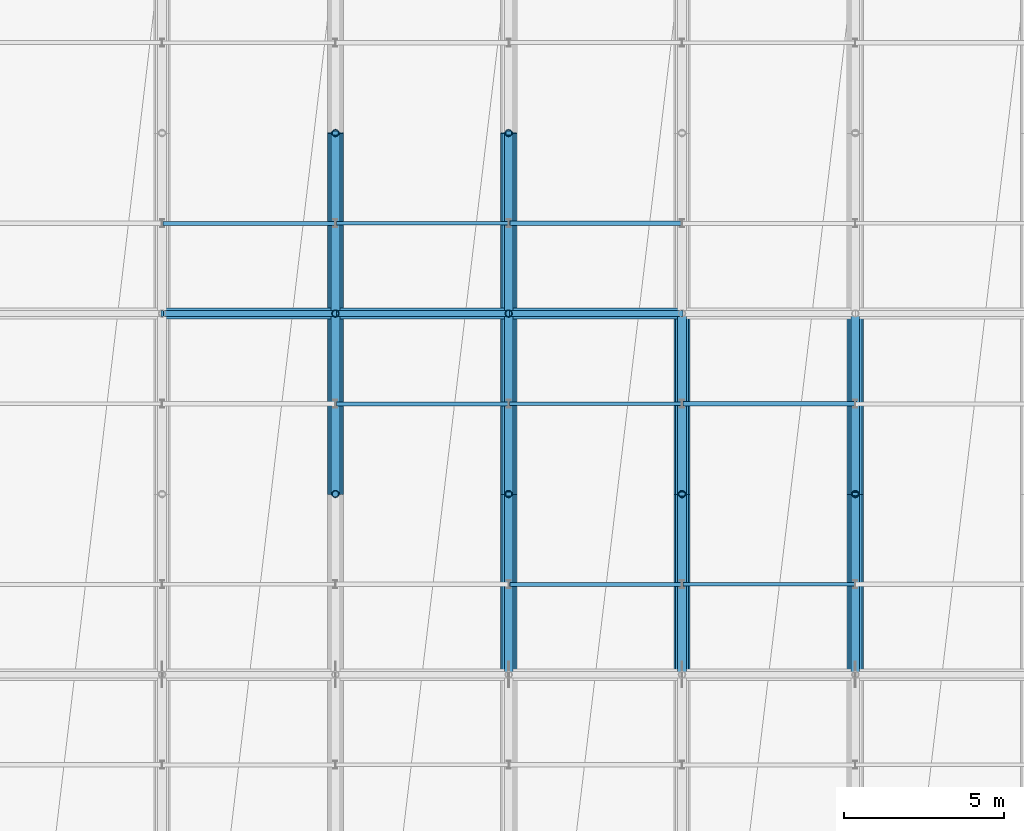
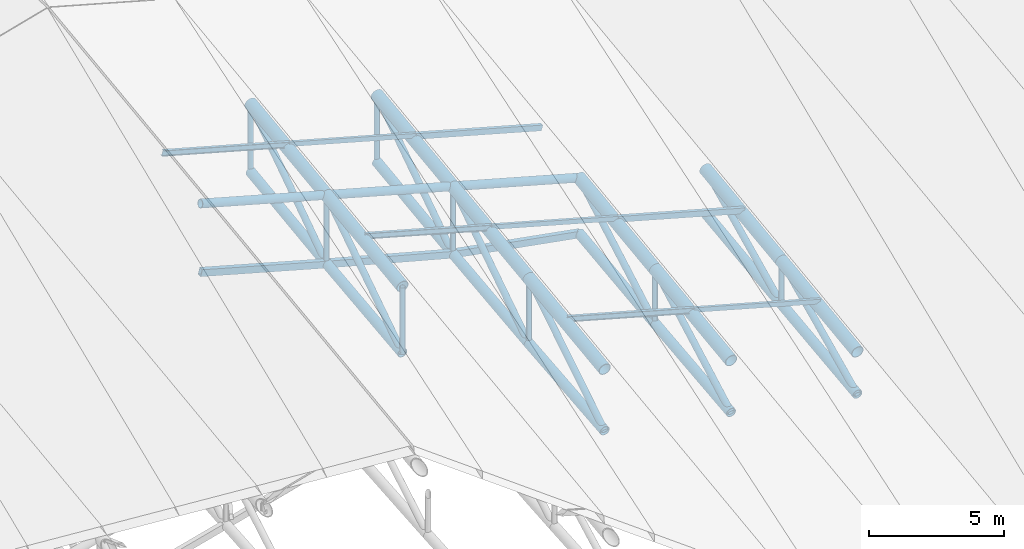
# One storey, part 17 of 109: 31 members, 18 beams.
"""IFC4 building model written with IfcOpenShell, lengths in metres."""

from ifc_helpers import new_model, si_unit, direction, frame, origin, origin_2d, place, context, subcontext, project, spatial, hollow_rectangle, hollow_circle, i_section, extrude, material, material_profile, profile_set, type_object, element, save


model = new_model("IFC4")

# Units and contexts
model_context = context("Model", 3, precision=1e-05, world=origin(), true_north=direction((0.0, 1.0)))
body_context = subcontext(model_context, "Body", "Model", "MODEL_VIEW")
ifc_project = project(units=[si_unit("LENGTHUNIT", "METRE"), si_unit("AREAUNIT", "SQUARE_METRE"), si_unit("VOLUMEUNIT", "CUBIC_METRE"), si_unit("PLANEANGLEUNIT", "RADIAN"), si_unit("MASSUNIT", "GRAM", prefix="KILO")], contexts=[model_context])

# Site, building, storey
site_placement = place(None, origin())
site = spatial("IfcSite", under=ifc_project, at=site_placement, CompositionType="ELEMENT")
building_placement = place(site_placement, origin())
building = spatial("IfcBuilding", under=site, at=building_placement, Name="Suirenkawa Promenade Aquatics Centre", CompositionType="ELEMENT")
storey_placement = place(building_placement, frame((0.0, 0.0, 22.800048828125)))
storey = spatial("IfcBuildingStorey", under=building, at=storey_placement, Name="ROOF", CompositionType="ELEMENT", Elevation=22.800048828125)

# Beams
ifc_material = material(Name="Steel IS 2062 E350 (Grade 350)", Category="steel")
ifc_material_profile_1 = material_profile(ifc_material, hollow_circle(Radius=0.202880859375, WallThickness=0.01806640625, at=origin_2d()), Name="CHS 406x18", Category="steel")
ifc_profile_set_1 = profile_set([ifc_material_profile_1], Name="Steel IS 2062 E350 (Grade 350)")
beam_type_1 = type_object("IfcBeamType", Name="BT-BC-CHS406", PredefinedType="BEAM", material=ifc_profile_set_1)
beam_1_placement = place(storey_placement, frame((73.800048828125, 78.52490234375, -9.880126953125), z_axis=(0.0, 0.993625471381, 0.112731639852), x_axis=(-1.0, 0.0, 0.0)))
element("IfcBeam", 1, at=beam_1_placement, inside=storey, type_object=beam_type_1, Name="ROOF TRUSS V1 bottom chord BC-01 BM-1958", PredefinedType="BEAM", context=body_context, shape_type="SweptSolid", body=[
    extrude(hollow_circle(Radius=0.202880859375, WallThickness=0.01806640625, at=origin_2d()), origin(), (0.0, 0.0, 1.0), 5.6611328125),
])
beam_2_placement = place(storey_placement, frame((73.800048828125, 84.14990234375, -9.241943359375), z_axis=(0.0, 0.991573992333, 0.129541567575), x_axis=(-1.0, 0.0, 0.0)))
element("IfcBeam", 2, at=beam_2_placement, inside=storey, type_object=beam_type_1, Name="ROOF TRUSS V1 bottom chord BC-01 BM-1960", PredefinedType="BEAM", context=body_context, shape_type="SweptSolid", body=[
    extrude(hollow_circle(Radius=0.202880859375, WallThickness=0.01806640625, at=origin_2d()), origin(), (0.0, 0.0, 1.0), 5.6728515625),
])
beam_3_placement = place(storey_placement, frame((79.199951171875, 72.89990234375, -11.881103515625), z_axis=(0.0, 0.995219391524, 0.09766454185), x_axis=(-1.0, 0.0, 0.0)))
element("IfcBeam", 3, at=beam_3_placement, inside=storey, type_object=beam_type_1, Name="ROOF TRUSS V1 bottom chord BC-01 BM-1984", PredefinedType="BEAM", context=body_context, shape_type="SweptSolid", body=[
    extrude(hollow_circle(Radius=0.202880859375, WallThickness=0.01806640625, at=origin_2d()), origin(), (0.0, 0.0, 1.0), 5.652099609375),
])
beam_4_placement = place(storey_placement, frame((79.199951171875, 78.52490234375, -11.3291015625), z_axis=(0.0, 0.993547952937, 0.113412808864), x_axis=(-1.0, 0.0, 0.0)))
element("IfcBeam", 4, at=beam_4_placement, inside=storey, type_object=beam_type_1, Name="ROOF TRUSS V1 bottom chord BC-01 BM-1986", PredefinedType="BEAM", context=body_context, shape_type="SweptSolid", body=[
    extrude(hollow_circle(Radius=0.202880859375, WallThickness=0.01806640625, at=origin_2d()), origin(), (0.0, 0.0, 1.0), 5.66162109375),
])
beam_5_placement = place(storey_placement, frame((79.199951171875, 84.14990234375, -10.68701171875), z_axis=(0.0, 0.991596090831, 0.129372302476), x_axis=(-1.0, 0.0, 0.0)))
element("IfcBeam", 5, at=beam_5_placement, inside=storey, type_object=beam_type_1, Name="ROOF TRUSS V1 bottom chord BC-01 BM-1988", PredefinedType="BEAM", context=body_context, shape_type="SweptSolid", body=[
    extrude(hollow_circle(Radius=0.202880859375, WallThickness=0.01806640625, at=origin_2d()), origin(), (0.0, 0.0, 1.0), 5.672607421875),
])
beam_6_placement = place(storey_placement, frame((84.60009765625, 72.89990234375, -12.945068359375), z_axis=(0.0, 0.99415070903, 0.108001702461), x_axis=(-1.0, 0.0, 0.0)))
element("IfcBeam", 6, at=beam_6_placement, inside=storey, type_object=beam_type_1, Name="ROOF TRUSS V1 bottom chord BC-01 BM-2012", PredefinedType="BEAM", context=body_context, shape_type="SweptSolid", body=[
    extrude(hollow_circle(Radius=0.202880859375, WallThickness=0.01806640625, at=origin_2d()), origin(), (0.0, 0.0, 1.0), 5.658203125),
])
for number, where, z_axis, x_axis, name in (
    (7, (84.60009765625, 78.52490234375, -12.333984375), (0.0, 0.993002721465, 0.11809146948), (-1.0, 0.0, 0.0), "ROOF TRUSS V1 bottom chord BC-01 BM-2014"),
    (8, (90.0, 72.89990234375, -14.008056640625), (0.0, 0.993022923404, 0.117921472154), (-1.0, 0.0, 0.0), "ROOF TRUSS V1 bottom chord BC-01 BM-2040"),
):
    element("IfcBeam", number, at=place(storey_placement, frame(where, z_axis=z_axis, x_axis=x_axis)), inside=storey, type_object=beam_type_1, Name=name, PredefinedType="BEAM", context=body_context, shape_type="SweptSolid", body=[
        extrude(hollow_circle(Radius=0.202880859375, WallThickness=0.01806640625, at=origin_2d()), origin(), (0.0, 0.0, 1.0), 5.66455078125),
    ])
beam_7_placement = place(storey_placement, frame((90.0, 78.52490234375, -13.340087890625), z_axis=(0.0, 0.992409843622, 0.122974396855), x_axis=(-1.0, 0.0, 0.0)))
element("IfcBeam", 9, at=beam_7_placement, inside=storey, type_object=beam_type_1, Name="ROOF TRUSS V1 bottom chord BC-01 BM-2042", PredefinedType="BEAM", context=body_context, shape_type="SweptSolid", body=[
    extrude(hollow_circle(Radius=0.202880859375, WallThickness=0.01806640625, at=origin_2d()), origin(), (0.0, 0.0, 1.0), 5.66796875),
])
ifc_material_profile_2 = material_profile(ifc_material, hollow_circle(Radius=0.25390625, WallThickness=0.02392578125, at=origin_2d()), Name="CHS 508x24", Category="steel")
ifc_profile_set_2 = profile_set([ifc_material_profile_2], Name="Steel IS 2062 E350 (Grade 350)")
beam_type_2 = type_object("IfcBeamType", Name="BT-TC-CHS508", PredefinedType="BEAM", material=ifc_profile_set_2)
for number, where, z_axis, x_axis, name in (
    (10, (73.800048828125, 78.52490234375, -6.875), (0.0, 0.991799178012, 0.127806065951), (-1.0, 0.0, 0.0), "ROOF TRUSS V1 top chord TC-02 BM-1957"),
    (11, (73.800048828125, 84.14990234375, -6.150146484375), (0.0, 0.991793720609, 0.127848409297), (-1.0, 0.0, 0.0), "ROOF TRUSS V1 top chord TC-02 BM-1959"),
    (12, (79.199951171875, 72.89990234375, -9.10009765625), (0.0, 0.991793720609, 0.127848409297), (-1.0, 0.0, 0.0), "ROOF TRUSS V1 top chord TC-02 BM-1983"),
    (13, (79.199951171875, 78.52490234375, -8.375), (0.0, 0.991799178012, 0.127806065951), (-1.0, 0.0, 0.0), "ROOF TRUSS V1 top chord TC-02 BM-1985"),
    (14, (79.199951171875, 84.14990234375, -7.650146484375), (0.0, 0.991793720609, 0.127848409297), (-1.0, 0.0, 0.0), "ROOF TRUSS V1 top chord TC-02 BM-1987"),
    (15, (84.60009765625, 72.89990234375, -10.60009765625), (0.0, 0.991793720609, 0.127848409297), (-1.0, 0.0, 0.0), "ROOF TRUSS V1 top chord TC-02 BM-2011"),
    (16, (84.60009765625, 78.52490234375, -9.875), (0.0, 0.991799178012, 0.127806065951), (-1.0, 0.0, 0.0), "ROOF TRUSS V1 top chord TC-02 BM-2013"),
    (17, (90.0, 72.89990234375, -12.10009765625), (0.0, 0.991793720609, 0.127848409297), (-1.0, 0.0, 0.0), "ROOF TRUSS V1 top chord TC-02 BM-2039"),
    (18, (90.0, 78.52490234375, -11.375), (0.0, 0.991799178012, 0.127806065951), (-1.0, 0.0, 0.0), "ROOF TRUSS V1 top chord TC-02 BM-2041"),
):
    element("IfcBeam", number, at=place(storey_placement, frame(where, z_axis=z_axis, x_axis=x_axis)), inside=storey, type_object=beam_type_2, Name=name, PredefinedType="BEAM", context=body_context, shape_type="SweptSolid", body=[
        extrude(hollow_circle(Radius=0.25390625, WallThickness=0.02392578125, at=origin_2d()), origin(), (0.0, 0.0, 1.0), 5.671630859375),
    ])

# Members
ifc_material_profile_3 = material_profile(ifc_material, hollow_circle(Radius=0.177978515625, WallThickness=0.01611328125, at=origin_2d()), Name="CHS 356x16", Category="steel")
ifc_profile_set_3 = profile_set([ifc_material_profile_3], Name="Steel IS 2062 E350 (Grade 350)")
member_type_1 = type_object("IfcMemberType", Name="MT-CHORD-CHS356", PredefinedType="CHORD", material=ifc_profile_set_3)
member_1_placement = place(storey_placement, frame((68.39990234375, 84.14990234375, -4.650146484375), z_axis=(0.963519781844, 0.0, -0.267637123724), x_axis=(0.0, 1.0, 0.0)))
element("IfcMember", 19, at=member_1_placement, inside=storey, type_object=member_type_1, Name="ROOF TRUSS V1 tie chord CH-02 MB-0776", PredefinedType="CHORD", context=body_context, shape_type="SweptSolid", body=[
    extrude(hollow_circle(Radius=0.177978515625, WallThickness=0.01611328125, at=origin_2d()), origin(), (0.0, 0.0, 1.0), 5.6044921875),
])
member_2_placement = place(storey_placement, frame((73.800048828125, 84.14990234375, -6.150146484375), z_axis=(0.963516661409, 0.0, -0.267648357342), x_axis=(0.0, 1.0, 0.0)))
element("IfcMember", 20, at=member_2_placement, inside=storey, type_object=member_type_1, Name="ROOF TRUSS V1 tie chord CH-02 MB-0778", PredefinedType="CHORD", context=body_context, shape_type="SweptSolid", body=[
    extrude(hollow_circle(Radius=0.177978515625, WallThickness=0.01611328125, at=origin_2d()), origin(), (0.0, 0.0, 1.0), 5.604248046875),
])
member_3_placement = place(storey_placement, frame((79.199951171875, 84.14990234375, -7.650146484375), z_axis=(0.963519781844, 0.0, -0.267637123724), x_axis=(0.0, 1.0, 0.0)))
element("IfcMember", 21, at=member_3_placement, inside=storey, type_object=member_type_1, Name="ROOF TRUSS V1 tie chord CH-02 MB-0780", PredefinedType="CHORD", context=body_context, shape_type="SweptSolid", body=[
    extrude(hollow_circle(Radius=0.177978515625, WallThickness=0.01611328125, at=origin_2d()), origin(), (0.0, 0.0, 1.0), 5.6044921875),
])
ifc_material_profile_4 = material_profile(ifc_material, hollow_rectangle(XDim=0.199951171875, YDim=0.300048828125, WallThickness=0.011962890625, at=origin_2d()), Name="RHS 300x200x12", Category="steel")
ifc_profile_set_4 = profile_set([ifc_material_profile_4], Name="Steel IS 2062 E350 (Grade 350)")
member_type_2 = type_object("IfcMemberType", Name="MT-CHORD-RHS300", PredefinedType="CHORD", material=ifc_profile_set_4)
member_4_placement = place(storey_placement, frame((68.39990234375, 84.14990234375, -7.741943359375), z_axis=(0.963519781844, 0.0, -0.267637123724), x_axis=(0.0, 1.0, 0.0)))
element("IfcMember", 22, at=member_4_placement, inside=storey, type_object=member_type_2, Name="ROOF TRUSS V1 bottom tie CH-03 MB-0777", PredefinedType="CHORD", context=body_context, shape_type="SweptSolid", body=[
    extrude(hollow_rectangle(XDim=0.199951171875, YDim=0.300048828125, WallThickness=0.011962890625, at=origin_2d()), origin(), (0.0, 0.0, 1.0), 5.6044921875),
])
member_5_placement = place(storey_placement, frame((73.800048828125, 84.14990234375, -9.241943359375), z_axis=(0.966007671503, 0.0, -0.258513401195), x_axis=(0.0, 1.0, 0.0)))
element("IfcMember", 23, at=member_5_placement, inside=storey, type_object=member_type_2, Name="ROOF TRUSS V1 bottom tie CH-03 MB-0779", PredefinedType="CHORD", context=body_context, shape_type="SweptSolid", body=[
    extrude(hollow_rectangle(XDim=0.199951171875, YDim=0.300048828125, WallThickness=0.011962890625, at=origin_2d()), origin(), (0.0, 0.0, 1.0), 5.58984375),
])
member_6_placement = place(storey_placement, frame((79.199951171875, 84.14990234375, -10.68701171875), z_axis=(0.983992105939, 0.0, -0.178212051919), x_axis=(0.0, 1.0, 0.0)))
element("IfcMember", 24, at=member_6_placement, inside=storey, type_object=member_type_2, Name="ROOF TRUSS V1 bottom tie CH-03 MB-0781", PredefinedType="CHORD", context=body_context, shape_type="SweptSolid", body=[
    extrude(hollow_rectangle(XDim=0.199951171875, YDim=0.300048828125, WallThickness=0.011962890625, at=origin_2d()), origin(), (0.0, 0.0, 1.0), 5.488037109375),
])
ifc_material_profile_5 = material_profile(ifc_material, i_section(OverallWidth=0.125, OverallDepth=0.25, WebThickness=0.007080078125, FlangeThickness=0.012939453125, at=origin_2d()), Name="ISMB 250", Category="steel")
ifc_profile_set_5 = profile_set([ifc_material_profile_5], Name="Steel IS 2062 E350 (Grade 350)")
member_type_3 = type_object("IfcMemberType", Name="MT-PURLIN-ISMB250", PredefinedType="PURLIN", material=ifc_profile_set_5)
member_7_placement = place(storey_placement, frame((68.39990234375, 86.962890625, -4.067138671875), z_axis=(0.963519781844, 0.0, -0.267637123724), x_axis=(0.0, 1.0, 0.0)))
element("IfcMember", 25, at=member_7_placement, inside=storey, type_object=member_type_3, Name="ROOF TRUSS Roof purlin PU-04 MB-1845", PredefinedType="PURLIN", context=body_context, shape_type="SweptSolid", body=[
    extrude(i_section(OverallWidth=0.125, OverallDepth=0.25, WebThickness=0.007080078125, FlangeThickness=0.012939453125, at=origin_2d()), origin(), (0.0, 0.0, 1.0), 5.6044921875),
])
member_8_placement = place(storey_placement, frame((73.800048828125, 81.337890625, -6.291015625), z_axis=(0.96347171364, 0.0, -0.267810113729), x_axis=(0.0, 1.0, 0.0)))
element("IfcMember", 26, at=member_8_placement, inside=storey, type_object=member_type_3, Name="ROOF TRUSS Roof purlin PU-04 MB-1879", PredefinedType="PURLIN", context=body_context, shape_type="SweptSolid", body=[
    extrude(i_section(OverallWidth=0.125, OverallDepth=0.25, WebThickness=0.007080078125, FlangeThickness=0.012939453125, at=origin_2d()), origin(), (0.0, 0.0, 1.0), 5.604736328125),
])
member_9_placement = place(storey_placement, frame((79.199951171875, 75.712890625, -8.51611328125), z_axis=(0.963519781844, 0.0, -0.267637123724), x_axis=(0.0, 1.0, 0.0)))
element("IfcMember", 27, at=member_9_placement, inside=storey, type_object=member_type_3, Name="ROOF TRUSS Roof purlin PU-04 MB-1913", PredefinedType="PURLIN", context=body_context, shape_type="SweptSolid", body=[
    extrude(i_section(OverallWidth=0.125, OverallDepth=0.25, WebThickness=0.007080078125, FlangeThickness=0.012939453125, at=origin_2d()), origin(), (0.0, 0.0, 1.0), 5.6044921875),
])
ifc_material_profile_6 = material_profile(ifc_material, hollow_rectangle(XDim=0.1201171875, YDim=0.199951171875, WallThickness=0.008056640625, at=origin_2d()), Name="RHS 200x120x8", Category="steel")
ifc_profile_set_6 = profile_set([ifc_material_profile_6], Name="Steel IS 2062 E350 (Grade 350)")
member_type_4 = type_object("IfcMemberType", Name="MT-PURLIN-RHS200", PredefinedType="PURLIN", material=ifc_profile_set_6)
member_10_placement = place(storey_placement, frame((73.800048828125, 86.962890625, -5.541015625), z_axis=(0.963516661409, 0.0, -0.267648357342), x_axis=(0.0, 1.0, 0.0)))
element("IfcMember", 28, at=member_10_placement, inside=storey, type_object=member_type_4, Name="ROOF TRUSS Roof purlin PU-02 MB-1881", PredefinedType="PURLIN", context=body_context, shape_type="SweptSolid", body=[
    extrude(hollow_rectangle(XDim=0.1201171875, YDim=0.199951171875, WallThickness=0.008056640625, at=origin_2d()), origin(), (0.0, 0.0, 1.0), 5.604248046875),
])
member_11_placement = place(storey_placement, frame((79.199951171875, 81.337890625, -7.76611328125), z_axis=(0.963519781844, 0.0, -0.267637123724), x_axis=(0.0, 1.0, 0.0)))
element("IfcMember", 29, at=member_11_placement, inside=storey, type_object=member_type_4, Name="ROOF TRUSS Roof purlin PU-02 MB-1915", PredefinedType="PURLIN", context=body_context, shape_type="SweptSolid", body=[
    extrude(hollow_rectangle(XDim=0.1201171875, YDim=0.199951171875, WallThickness=0.008056640625, at=origin_2d()), origin(), (0.0, 0.0, 1.0), 5.6044921875),
])
member_12_placement = place(storey_placement, frame((84.60009765625, 75.712890625, -9.990966796875), z_axis=(0.963516661409, 0.0, -0.267648357342), x_axis=(0.0, 1.0, 0.0)))
element("IfcMember", 30, at=member_12_placement, inside=storey, type_object=member_type_4, Name="ROOF TRUSS Roof purlin PU-02 MB-1949", PredefinedType="PURLIN", context=body_context, shape_type="SweptSolid", body=[
    extrude(hollow_rectangle(XDim=0.1201171875, YDim=0.199951171875, WallThickness=0.008056640625, at=origin_2d()), origin(), (0.0, 0.0, 1.0), 5.604248046875),
])
ifc_material_profile_7 = material_profile(ifc_material, hollow_rectangle(XDim=0.14990234375, YDim=0.25, WallThickness=0.010009765625, at=origin_2d()), Name="RHS 250x150x10", Category="steel")
ifc_profile_set_7 = profile_set([ifc_material_profile_7], Name="Steel IS 2062 E350 (Grade 350)")
member_type_5 = type_object("IfcMemberType", Name="MT-PURLIN-RHS250", PredefinedType="PURLIN", material=ifc_profile_set_7)
member_13_placement = place(storey_placement, frame((79.199951171875, 86.962890625, -7.068115234375), z_axis=(0.963519781844, 0.0, -0.267637123724), x_axis=(0.0, 1.0, 0.0)))
element("IfcMember", 31, at=member_13_placement, inside=storey, type_object=member_type_5, Name="ROOF TRUSS Roof purlin PU-03 MB-1917", PredefinedType="PURLIN", context=body_context, shape_type="SweptSolid", body=[
    extrude(hollow_rectangle(XDim=0.14990234375, YDim=0.25, WallThickness=0.010009765625, at=origin_2d()), origin(), (0.0, 0.0, 1.0), 5.6044921875),
])
member_14_placement = place(storey_placement, frame((84.60009765625, 81.337890625, -9.29296875), z_axis=(0.963516661409, 0.0, -0.267648357342), x_axis=(0.0, 1.0, 0.0)))
element("IfcMember", 32, at=member_14_placement, inside=storey, type_object=member_type_5, Name="ROOF TRUSS Roof purlin PU-03 MB-1951", PredefinedType="PURLIN", context=body_context, shape_type="SweptSolid", body=[
    extrude(hollow_rectangle(XDim=0.14990234375, YDim=0.25, WallThickness=0.010009765625, at=origin_2d()), origin(), (0.0, 0.0, 1.0), 5.604248046875),
])
ifc_material_profile_8 = material_profile(ifc_material, hollow_circle(Radius=0.110107421875, WallThickness=0.010009765625, at=origin_2d()), Name="CHS 220x10", Category="steel")
ifc_profile_set_8 = profile_set([ifc_material_profile_8], Name="Steel IS 2062 E350 (Grade 350)")
member_type_6 = type_object("IfcMemberType", Name="MT-WEB-CHS220", PredefinedType="BRACE", material=ifc_profile_set_8)
member_15_placement = place(storey_placement, frame((73.800048828125, 78.52490234375, -9.880126953125), z_axis=(0.0, 0.0, 1.0), x_axis=(1.0, 0.0, 0.0)))
element("IfcMember", 33, at=member_15_placement, inside=storey, type_object=member_type_6, Name="ROOF TRUSS V1 web post TD-01 MB-0154", PredefinedType="BRACE", context=body_context, shape_type="SweptSolid", body=[
    extrude(hollow_circle(Radius=0.110107421875, WallThickness=0.010009765625, at=origin_2d()), origin(), (0.0, 0.0, 1.0), 3.005126953125),
])
member_16_placement = place(storey_placement, frame((73.800048828125, 84.14990234375, -9.241943359375), z_axis=(0.0, 0.0, 1.0), x_axis=(1.0, 0.0, 0.0)))
element("IfcMember", 34, at=member_16_placement, inside=storey, type_object=member_type_6, Name="ROOF TRUSS V1 web post TD-01 MB-0155", PredefinedType="BRACE", context=body_context, shape_type="SweptSolid", body=[
    extrude(hollow_circle(Radius=0.110107421875, WallThickness=0.010009765625, at=origin_2d()), origin(), (0.0, 0.0, 1.0), 3.091796875),
])
member_17_placement = place(storey_placement, frame((73.800048828125, 89.77490234375, -8.507080078125), z_axis=(0.0, 0.0, 1.0), x_axis=(1.0, 0.0, 0.0)))
element("IfcMember", 35, at=member_17_placement, inside=storey, type_object=member_type_6, Name="ROOF TRUSS V1 web post TD-01 MB-0156", PredefinedType="BRACE", context=body_context, shape_type="SweptSolid", body=[
    extrude(hollow_circle(Radius=0.110107421875, WallThickness=0.010009765625, at=origin_2d()), origin(), (0.0, 0.0, 1.0), 3.08203125),
])
member_18_placement = place(storey_placement, frame((79.199951171875, 78.52490234375, -11.3291015625), z_axis=(0.0, 0.0, 1.0), x_axis=(1.0, 0.0, 0.0)))
element("IfcMember", 36, at=member_18_placement, inside=storey, type_object=member_type_6, Name="ROOF TRUSS V1 web post TD-01 MB-0181", PredefinedType="BRACE", context=body_context, shape_type="SweptSolid", body=[
    extrude(hollow_circle(Radius=0.110107421875, WallThickness=0.010009765625, at=origin_2d()), origin(), (0.0, 0.0, 1.0), 2.9541015625),
])
member_19_placement = place(storey_placement, frame((79.199951171875, 84.14990234375, -10.68701171875), z_axis=(0.0, 0.0, 1.0), x_axis=(1.0, 0.0, 0.0)))
element("IfcMember", 37, at=member_19_placement, inside=storey, type_object=member_type_6, Name="ROOF TRUSS V1 web post TD-01 MB-0182", PredefinedType="BRACE", context=body_context, shape_type="SweptSolid", body=[
    extrude(hollow_circle(Radius=0.110107421875, WallThickness=0.010009765625, at=origin_2d()), origin(), (0.0, 0.0, 1.0), 3.036865234375),
])
member_20_placement = place(storey_placement, frame((79.199951171875, 89.77490234375, -9.953125), z_axis=(0.0, 0.0, 1.0), x_axis=(1.0, 0.0, 0.0)))
element("IfcMember", 38, at=member_20_placement, inside=storey, type_object=member_type_6, Name="ROOF TRUSS V1 web post TD-01 MB-0183", PredefinedType="BRACE", context=body_context, shape_type="SweptSolid", body=[
    extrude(hollow_circle(Radius=0.110107421875, WallThickness=0.010009765625, at=origin_2d()), origin(), (0.0, 0.0, 1.0), 3.028076171875),
])
member_21_placement = place(storey_placement, frame((84.60009765625, 78.52490234375, -12.333984375), z_axis=(0.0, 0.0, 1.0), x_axis=(1.0, 0.0, 0.0)))
element("IfcMember", 39, at=member_21_placement, inside=storey, type_object=member_type_6, Name="ROOF TRUSS V1 web post TD-01 MB-0208", PredefinedType="BRACE", context=body_context, shape_type="SweptSolid", body=[
    extrude(hollow_circle(Radius=0.110107421875, WallThickness=0.010009765625, at=origin_2d()), origin(), (0.0, 0.0, 1.0), 2.458984375),
])
member_22_placement = place(storey_placement, frame((90.0, 78.52490234375, -13.340087890625), z_axis=(0.0, 0.0, 1.0), x_axis=(1.0, 0.0, 0.0)))
element("IfcMember", 40, at=member_22_placement, inside=storey, type_object=member_type_6, Name="ROOF TRUSS V1 web post TD-01 MB-0235", PredefinedType="BRACE", context=body_context, shape_type="SweptSolid", body=[
    extrude(hollow_circle(Radius=0.110107421875, WallThickness=0.010009765625, at=origin_2d()), origin(), (0.0, 0.0, 1.0), 1.965087890625),
])
ifc_material_profile_9 = material_profile(ifc_material, hollow_circle(Radius=0.136962890625, WallThickness=0.011962890625, at=origin_2d()), Name="CHS 274x12", Category="steel")
ifc_profile_set_9 = profile_set([ifc_material_profile_9], Name="Steel IS 2062 E350 (Grade 350)")
member_type_7 = type_object("IfcMemberType", Name="MT-WEB-CHS274", PredefinedType="BRACE", material=ifc_profile_set_9)
member_23_placement = place(storey_placement, frame((73.800048828125, 78.52490234375, -9.880126953125), z_axis=(0.0, 0.833416754205, 0.552645016091), x_axis=(-1.0, 0.0, 0.0)))
element("IfcMember", 41, at=member_23_placement, inside=storey, type_object=member_type_7, Name="ROOF TRUSS V1 web diagonal TD-02 MB-0141", PredefinedType="BRACE", context=body_context, shape_type="SweptSolid", body=[
    extrude(hollow_circle(Radius=0.136962890625, WallThickness=0.011962890625, at=origin_2d()), origin(), (0.0, 0.0, 1.0), 6.749267578125),
])
member_24_placement = place(storey_placement, frame((73.800048828125, 84.14990234375, -9.241943359375), z_axis=(0.0, 0.827480542111, 0.56149439216), x_axis=(-1.0, 0.0, 0.0)))
element("IfcMember", 42, at=member_24_placement, inside=storey, type_object=member_type_7, Name="ROOF TRUSS V1 web diagonal TD-02 MB-0142", PredefinedType="BRACE", context=body_context, shape_type="SweptSolid", body=[
    extrude(hollow_circle(Radius=0.136962890625, WallThickness=0.011962890625, at=origin_2d()), origin(), (0.0, 0.0, 1.0), 6.7978515625),
])
member_25_placement = place(storey_placement, frame((79.199951171875, 72.89990234375, -11.881103515625), z_axis=(0.0, 0.848643295317, 0.528965553995), x_axis=(-1.0, 0.0, 0.0)))
element("IfcMember", 43, at=member_25_placement, inside=storey, type_object=member_type_7, Name="ROOF TRUSS V1 web diagonal TD-02 MB-0167", PredefinedType="BRACE", context=body_context, shape_type="SweptSolid", body=[
    extrude(hollow_circle(Radius=0.136962890625, WallThickness=0.011962890625, at=origin_2d()), origin(), (0.0, 0.0, 1.0), 6.628173828125),
])
member_26_placement = place(storey_placement, frame((79.199951171875, 78.52490234375, -11.3291015625), z_axis=(0.0, 0.83689665813, 0.547360926274), x_axis=(-1.0, 0.0, 0.0)))
element("IfcMember", 44, at=member_26_placement, inside=storey, type_object=member_type_7, Name="ROOF TRUSS V1 web diagonal TD-02 MB-0168", PredefinedType="BRACE", context=body_context, shape_type="SweptSolid", body=[
    extrude(hollow_circle(Radius=0.136962890625, WallThickness=0.011962890625, at=origin_2d()), origin(), (0.0, 0.0, 1.0), 6.72119140625),
])
member_27_placement = place(storey_placement, frame((79.199951171875, 84.14990234375, -10.68701171875), z_axis=(0.0, 0.831233479962, 0.555923467566), x_axis=(-1.0, 0.0, 0.0)))
element("IfcMember", 45, at=member_27_placement, inside=storey, type_object=member_type_7, Name="ROOF TRUSS V1 web diagonal TD-02 MB-0169", PredefinedType="BRACE", context=body_context, shape_type="SweptSolid", body=[
    extrude(hollow_circle(Radius=0.136962890625, WallThickness=0.011962890625, at=origin_2d()), origin(), (0.0, 0.0, 1.0), 6.76708984375),
])
member_28_placement = place(storey_placement, frame((84.60009765625, 72.89990234375, -12.945068359375), z_axis=(0.0, 0.877771786626, 0.479079002466), x_axis=(-1.0, 0.0, 0.0)))
element("IfcMember", 46, at=member_28_placement, inside=storey, type_object=member_type_7, Name="ROOF TRUSS V1 web diagonal TD-02 MB-0194", PredefinedType="BRACE", context=body_context, shape_type="SweptSolid", body=[
    extrude(hollow_circle(Radius=0.136962890625, WallThickness=0.011962890625, at=origin_2d()), origin(), (0.0, 0.0, 1.0), 6.408203125),
])
member_29_placement = place(storey_placement, frame((84.60009765625, 78.52490234375, -12.333984375), z_axis=(0.0, 0.870265103873, 0.492583646684), x_axis=(-1.0, 0.0, 0.0)))
element("IfcMember", 47, at=member_29_placement, inside=storey, type_object=member_type_7, Name="ROOF TRUSS V1 web diagonal TD-02 MB-0195", PredefinedType="BRACE", context=body_context, shape_type="SweptSolid", body=[
    extrude(hollow_circle(Radius=0.136962890625, WallThickness=0.011962890625, at=origin_2d()), origin(), (0.0, 0.0, 1.0), 6.463623046875),
])
member_30_placement = place(storey_placement, frame((90.0, 72.89990234375, -14.008056640625), z_axis=(0.0, 0.905685409546, 0.423950396786), x_axis=(-1.0, 0.0, 0.0)))
element("IfcMember", 48, at=member_30_placement, inside=storey, type_object=member_type_7, Name="ROOF TRUSS V1 web diagonal TD-02 MB-0221", PredefinedType="BRACE", context=body_context, shape_type="SweptSolid", body=[
    extrude(hollow_circle(Radius=0.136962890625, WallThickness=0.011962890625, at=origin_2d()), origin(), (0.0, 0.0, 1.0), 6.210693359375),
])
member_31_placement = place(storey_placement, frame((90.0, 78.52490234375, -13.340087890625), z_axis=(0.0, 0.902151449503, 0.431419473551), x_axis=(-1.0, 0.0, 0.0)))
element("IfcMember", 49, at=member_31_placement, inside=storey, type_object=member_type_7, Name="ROOF TRUSS V1 web diagonal TD-02 MB-0222", PredefinedType="BRACE", context=body_context, shape_type="SweptSolid", body=[
    extrude(hollow_circle(Radius=0.136962890625, WallThickness=0.011962890625, at=origin_2d()), origin(), (0.0, 0.0, 1.0), 6.235107421875),
])

save(model, "model.ifc")
